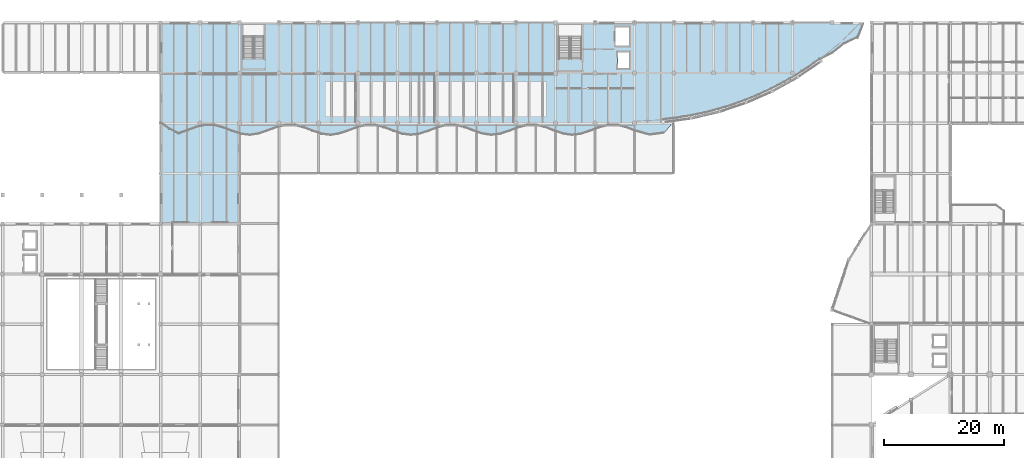
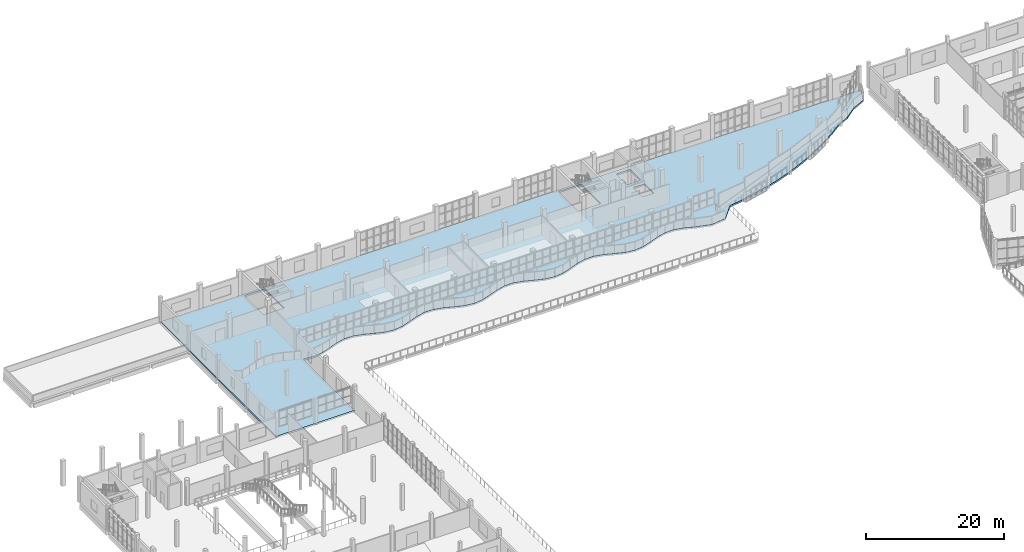
# One storey, part 40 of 83: 1 slab.
"""IFC4 building model written with IfcOpenShell, lengths in metres."""

from ifc_helpers import new_model, si_unit, direction, frame, origin, place, context, subcontext, project, spatial, polyline, outline, extrude, material, layer, layer_set, type_object, element, save


model = new_model("IFC4")

# Units and contexts
model_context = context("Model", 3, precision=1e-05, world=origin(), true_north=direction((0.0, 1.0)))
body_context = subcontext(model_context, "Body", "Model", "MODEL_VIEW")
ifc_project = project(units=[si_unit("LENGTHUNIT", "METRE"), si_unit("AREAUNIT", "SQUARE_METRE"), si_unit("VOLUMEUNIT", "CUBIC_METRE"), si_unit("PLANEANGLEUNIT", "RADIAN"), si_unit("MASSUNIT", "GRAM", prefix="KILO")], contexts=[model_context])

# Site, building, storey
site_placement = place(None, origin())
site = spatial("IfcSite", under=ifc_project, at=site_placement, CompositionType="ELEMENT")
building_placement = place(site_placement, origin())
building = spatial("IfcBuilding", under=site, at=building_placement, Name="Qaldarim Faculty of Natural and Applied Sciences", CompositionType="ELEMENT")
storey_placement = place(building_placement, frame((0.0, 0.0, 5.39990234375)))
storey = spatial("IfcBuildingStorey", under=building, at=storey_placement, Name="L01", CompositionType="ELEMENT", Elevation=5.39990234375)

# Slab
ifc_material = material(Name="Concrete C40/50", Category="concrete")
ifc_layer = layer(ifc_material, 0.300048828125)
ifc_layer_set = layer_set([ifc_layer], Name="Concrete C40/50")
slab_type = type_object("IfcSlabType", Name="PodiumFloorSlab-300", PredefinedType="FLOOR", material=ifc_layer_set)
slab_placement = place(storey_placement, frame((0.0, 0.0, -0.2998046875)))
element("IfcSlab", 1, at=slab_placement, inside=storey, type_object=slab_type, Name="Floor slab L01 V4", PredefinedType="FLOOR", context=body_context, shape_type="SweptSolid", body=[
    extrude(outline(polyline([(33.0, 84.0), (33.0, 117.60009765625), (150.47509765625, 117.60009765625), (149.52490234375, 115.1650390625), (147.22998046875, 114.070068359375), (145.360107421875, 112.570068359375), (143.18505859375, 111.47509765625), (141.2548828125, 110.094970703125), (139.260009765625, 108.804931640625), (137.2099609375, 107.610107421875), (135.110107421875, 106.510009765625), (132.9599609375, 105.5048828125), (130.764892578125, 104.60009765625), (128.530029296875, 103.800048828125), (126.260009765625, 103.10009765625), (123.965087890625, 102.510009765625), (121.639892578125, 102.02001953125), (119.300048828125, 101.639892578125), (117.14501953125, 99.1650390625), (114.679931640625, 98.840087890625), (112.199951171875, 99.554931640625), (110.705078125, 100.1201171875), (109.2099609375, 100.465087890625), (107.715087890625, 100.429931640625), (106.22509765625, 100.034912109375), (104.72998046875, 99.4599609375), (103.235107421875, 98.97509765625), (101.739990234375, 98.800048828125), (100.2451171875, 99.02001953125), (98.75, 99.534912109375), (97.2548828125, 100.10009765625), (95.760009765625, 100.4599609375), (94.27001953125, 100.43994140625), (92.77490234375, 100.054931640625), (91.280029296875, 99.47998046875), (89.784912109375, 98.985107421875), (88.2900390625, 98.800048828125), (86.794921875, 99.010009765625), (85.300048828125, 99.514892578125), (83.81005859375, 100.0849609375), (82.31494140625, 100.449951171875), (80.820068359375, 100.445068359375), (79.324951171875, 100.070068359375), (77.830078125, 99.5), (76.3349609375, 99.0), (74.840087890625, 98.800048828125), (73.344970703125, 98.9951171875), (71.85498046875, 99.4951171875), (70.360107421875, 100.06494140625), (68.864990234375, 100.445068359375), (67.3701171875, 100.455078125), (65.875, 100.090087890625), (64.3798828125, 99.52001953125), (62.885009765625, 99.014892578125), (61.389892578125, 98.800048828125), (59.89990234375, 98.985107421875), (58.405029296875, 99.47509765625), (56.909912109375, 100.050048828125), (55.4150390625, 100.43505859375), (53.919921875, 100.4599609375), (52.425048828125, 100.10498046875), (50.929931640625, 99.5400390625), (49.43994140625, 99.02490234375), (47.945068359375, 98.800048828125), (46.449951171875, 98.969970703125), (46.199951171875, 99.050048828125), (46.199951171875, 84.0), (33.0, 84.0)]), holes=[polyline([(103.35009765625, 111.514892578125), (103.35009765625, 117.219970703125), (99.550048828125, 117.219970703125), (99.550048828125, 111.514892578125), (103.35009765625, 111.514892578125)]), polyline([(50.300048828125, 111.614990234375), (50.300048828125, 117.219970703125), (46.800048828125, 117.219970703125), (46.800048828125, 111.614990234375), (50.300048828125, 111.614990234375)]), polyline([(109.449951171875, 109.949951171875), (111.35009765625, 109.949951171875), (111.35009765625, 112.64990234375), (109.449951171875, 112.64990234375), (109.449951171875, 109.949951171875)]), polyline([(109.050048828125, 113.75), (111.35009765625, 113.75), (111.35009765625, 116.85009765625), (109.050048828125, 116.85009765625), (109.050048828125, 113.75)])]), origin(), (0.0, 0.0, 1.0), 0.2998046875),
])

save(model, "model.ifc")
